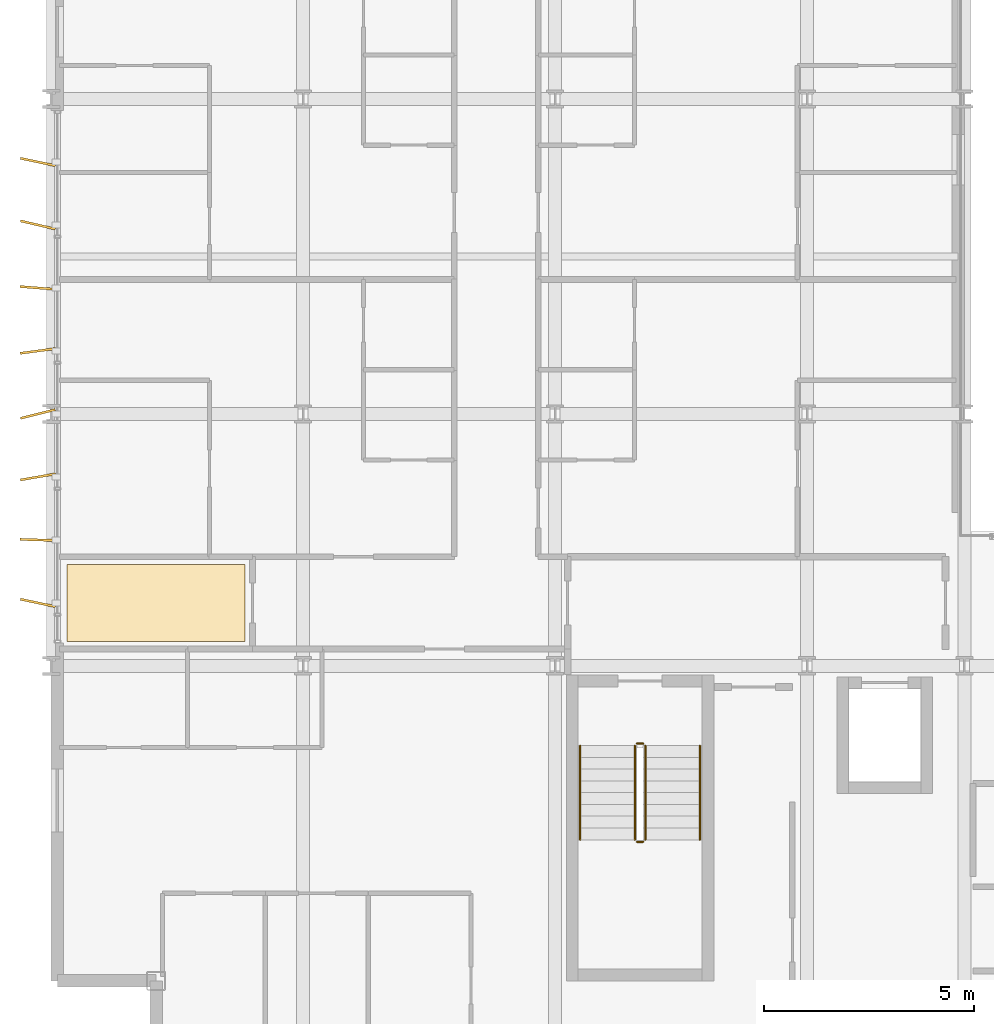
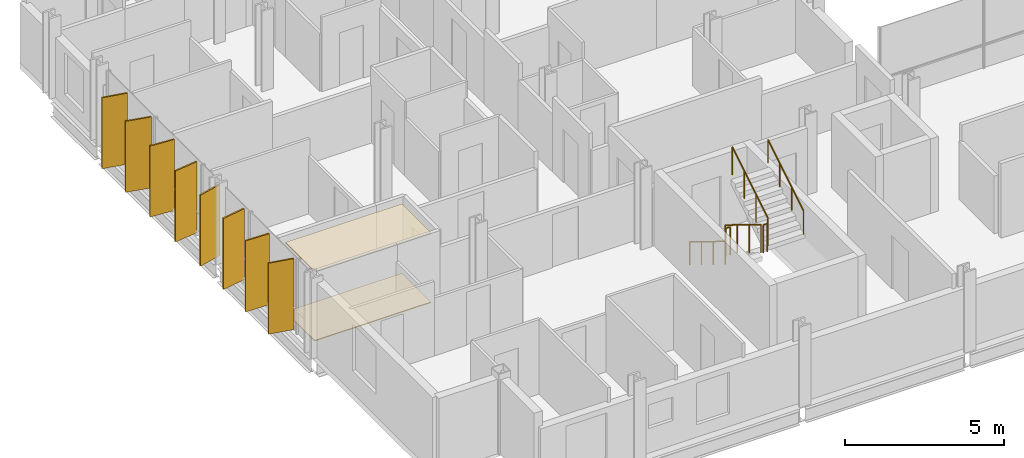
# One storey, part 36 of 39: 8 shading devices, 6 railings, 2 coverings.
"""IFC4 building model written with IfcOpenShell, lengths in metres."""

from ifc_helpers import new_model, si_unit, direction, frame, origin, origin_2d, place, context, subcontext, project, spatial, polyline, rectangle, circle, outline, extrude, material, layer, layer_set, type_object, element, save


model = new_model("IFC4")

# Units and contexts
model_context = context("Model", 3, precision=1e-05, world=origin(), true_north=direction((0.0, 1.0)))
body_context = subcontext(model_context, "Body", "Model", "MODEL_VIEW")
ifc_project = project(units=[si_unit("LENGTHUNIT", "METRE"), si_unit("AREAUNIT", "SQUARE_METRE"), si_unit("VOLUMEUNIT", "CUBIC_METRE"), si_unit("PLANEANGLEUNIT", "RADIAN"), si_unit("MASSUNIT", "GRAM", prefix="KILO")], contexts=[model_context])

# Site, building, storey
site_placement = place(None, origin())
site = spatial("IfcSite", under=ifc_project, at=site_placement, CompositionType="ELEMENT")
building_placement = place(site_placement, origin())
building = spatial("IfcBuilding", under=site, at=building_placement, Name="Brevholm Reach", CompositionType="ELEMENT")
storey_placement = place(building_placement, frame((0.0, 0.0, 83.800048828125)))
storey = spatial("IfcBuildingStorey", under=building, at=storey_placement, Name="L24", CompositionType="ELEMENT", Elevation=83.800048828125)

# Coverings
ifc_material_1 = material(Name="Moisture-Resistant Skimmed Gypsum Plasterboard Ceiling", Category="gypsum")
ifc_layer_1 = layer(ifc_material_1, 0.030029296875)
ifc_layer_set_1 = layer_set([ifc_layer_1], Name="Moisture-Resistant Skimmed Gypsum Plasterboard Ceiling")
covering_type_1 = type_object("IfcCoveringType", Name="COV-CLG-GYP", PredefinedType="CEILING", material=ifc_layer_set_1)
covering_1_placement = place(storey_placement, frame((0.0, 0.0, 2.669921875)))
element("IfcCovering", 1, at=covering_1_placement, inside=storey, type_object=covering_type_1, Name="L24 Suspended Ceiling L24-31", PredefinedType="CEILING", context=body_context, shape_type="SweptSolid", body=[
    extrude(outline(polyline([(0.3798828125, 12.419921875), (4.615966796875, 12.419921875), (4.615966796875, 10.583984375), (0.3798828125, 10.583984375), (0.3798828125, 12.419921875)])), origin(), (0.0, 0.0, 1.0), 0.030029296875),
])
ifc_material_2 = material(Name="Honed Portland-Aggregate Resin Terrazzo Flooring", Category="concrete")
ifc_layer_2 = layer(ifc_material_2, 0.031982421875)
ifc_layer_set_2 = layer_set([ifc_layer_2], Name="Honed Portland-Aggregate Resin Terrazzo Flooring")
covering_type_2 = type_object("IfcCoveringType", Name="COV-FLR-TRZ", PredefinedType="FLOORING", material=ifc_layer_set_2)
covering_2_placement = place(storey_placement, origin())
element("IfcCovering", 2, at=covering_2_placement, inside=storey, type_object=covering_type_2, Name="L24 Floor Finish L24-31", PredefinedType="FLOORING", context=body_context, shape_type="SweptSolid", body=[
    extrude(outline(polyline([(0.3798828125, 12.419921875), (4.615966796875, 12.419921875), (4.615966796875, 10.583984375), (0.3798828125, 10.583984375), (0.3798828125, 12.419921875)])), origin(), (0.0, 0.0, 1.0), 0.031982421875),
])

# Railings
ifc_material_3 = material(Name="Brushed Stainless Steel EN 1.4401 Continuous Handrail", Category="steel")
railing_type_1 = type_object("IfcRailingType", Name="RAL-HND-950", PredefinedType="HANDRAIL", material=ifc_material_3)
railing_1_placement = place(storey_placement, frame((12.60009765625, 8.10009765625, 0.172119140625)))
element("IfcRailing", 3, at=railing_1_placement, inside=storey, type_object=railing_type_1, Name="L24 ST-1 stair handrail 1", PredefinedType="HANDRAIL", context=body_context, shape_type="SweptSolid", body=[
    extrude(circle(Radius=0.02392578125, at=origin_2d()), frame((0.0, 0.0, 0.8857421875), z_axis=(0.0, -0.851747552033, 0.523952390591), x_axis=(1.0, 0.0, 0.0)), (0.0, 0.0, 1.0), 2.6298828125),
    extrude(circle(Radius=0.02099609375, at=origin_2d()), origin(), (0.0, 0.0, 1.0), 0.86181640625),
    extrude(circle(Radius=0.02099609375, at=origin_2d()), frame((0.0, -0.74658203125, 0.459228515625)), (0.0, 0.0, 1.0), 0.86181640625),
    extrude(circle(Radius=0.02099609375, at=origin_2d()), frame((0.0, -1.493408203125, 0.918701171875)), (0.0, 0.0, 1.0), 0.86181640625),
    extrude(circle(Radius=0.02099609375, at=origin_2d()), frame((0.0, -2.239990234375, 1.3779296875)), (0.0, 0.0, 1.0), 0.86181640625),
])
railing_2_placement = place(storey_placement, frame((15.449951171875, 5.860107421875, 1.72216796875)))
element("IfcRailing", 4, at=railing_2_placement, inside=storey, type_object=railing_type_1, Name="L24 ST-1 stair handrail 2", PredefinedType="HANDRAIL", context=body_context, shape_type="SweptSolid", body=[
    extrude(circle(Radius=0.02392578125, at=origin_2d()), frame((0.0, 0.0, 0.8857421875), z_axis=(0.0, 0.85178898068, 0.523885037382), x_axis=(-1.0, 0.0, 0.0)), (0.0, 0.0, 1.0), 2.629638671875),
    extrude(circle(Radius=0.02099609375, at=origin_2d()), origin(), (0.0, 0.0, 1.0), 0.86181640625),
    extrude(circle(Radius=0.02099609375, at=origin_2d()), frame((0.0, 0.74658203125, 0.459228515625)), (0.0, 0.0, 1.0), 0.86181640625),
    extrude(circle(Radius=0.02099609375, at=origin_2d()), frame((0.0, 1.493408203125, 0.91845703125)), (0.0, 0.0, 1.0), 0.86181640625),
    extrude(circle(Radius=0.02099609375, at=origin_2d()), frame((0.0, 2.239990234375, 1.377685546875)), (0.0, 0.0, 1.0), 0.86181640625),
])
ifc_material_4 = material(Name="Painted Tubular Galvanised Steel S275JR Stair Guard", Category="steel")
railing_type_2 = type_object("IfcRailingType", Name="RAL-STG-1120", PredefinedType="BALUSTRADE", material=ifc_material_4)
railing_3_placement = place(storey_placement, frame((13.89990234375, 8.10009765625, 0.172119140625)))
element("IfcRailing", 5, at=railing_3_placement, inside=storey, type_object=railing_type_2, Name="L24 ST-1 stair guard 1", PredefinedType="BALUSTRADE", context=body_context, shape_type="SweptSolid", body=[
    extrude(circle(Radius=0.02392578125, at=origin_2d()), frame((0.0, 0.0, 1.076171875), z_axis=(0.0, -0.851747552033, 0.523952390591), x_axis=(1.0, 0.0, 0.0)), (0.0, 0.0, 1.0), 2.6298828125),
    extrude(circle(Radius=0.02099609375, at=origin_2d()), origin(), (0.0, 0.0, 1.0), 1.052001953125),
    extrude(circle(Radius=0.02099609375, at=origin_2d()), frame((0.0, -0.74658203125, 0.459228515625)), (0.0, 0.0, 1.0), 1.052001953125),
    extrude(circle(Radius=0.02099609375, at=origin_2d()), frame((0.0, -1.493408203125, 0.918701171875)), (0.0, 0.0, 1.0), 1.052001953125),
    extrude(circle(Radius=0.02099609375, at=origin_2d()), frame((0.0, -2.239990234375, 1.3779296875)), (0.0, 0.0, 1.0), 1.052001953125),
])
railing_4_placement = place(storey_placement, frame((13.949951171875, 5.81005859375, 1.550048828125)))
element("IfcRailing", 6, at=railing_4_placement, inside=storey, type_object=railing_type_2, Name="L24 ST-1 stair guard 2", PredefinedType="BALUSTRADE", context=body_context, shape_type="SweptSolid", body=[
    extrude(circle(Radius=0.02392578125, at=origin_2d()), frame((0.0, 0.0, 1.076171875), z_axis=(1.0, 0.0, 0.0), x_axis=(0.0, 1.0, 0.0)), (0.0, 0.0, 1.0), 0.150146484375),
    extrude(circle(Radius=0.02099609375, at=origin_2d()), origin(), (0.0, 0.0, 1.0), 1.052001953125),
    extrude(circle(Radius=0.02099609375, at=origin_2d()), frame((0.150146484375, 0.0, 0.0)), (0.0, 0.0, 1.0), 1.052001953125),
])
railing_5_placement = place(storey_placement, frame((14.14990234375, 5.860107421875, 1.72216796875)))
element("IfcRailing", 7, at=railing_5_placement, inside=storey, type_object=railing_type_2, Name="L24 ST-1 stair guard 3", PredefinedType="BALUSTRADE", context=body_context, shape_type="SweptSolid", body=[
    extrude(circle(Radius=0.02392578125, at=origin_2d()), frame((0.0, 0.0, 1.076171875), z_axis=(0.0, 0.85178898068, 0.523885037382), x_axis=(-1.0, 0.0, 0.0)), (0.0, 0.0, 1.0), 2.629638671875),
    extrude(circle(Radius=0.02099609375, at=origin_2d()), origin(), (0.0, 0.0, 1.0), 1.052001953125),
    extrude(circle(Radius=0.02099609375, at=origin_2d()), frame((0.0, 0.74658203125, 0.459228515625)), (0.0, 0.0, 1.0), 1.052001953125),
    extrude(circle(Radius=0.02099609375, at=origin_2d()), frame((0.0, 1.493408203125, 0.91845703125)), (0.0, 0.0, 1.0), 1.052001953125),
    extrude(circle(Radius=0.02099609375, at=origin_2d()), frame((0.0, 2.239990234375, 1.377685546875)), (0.0, 0.0, 1.0), 1.052001953125),
])
railing_6_placement = place(storey_placement, frame((13.949951171875, 8.14990234375, 0.0)))
element("IfcRailing", 8, at=railing_6_placement, inside=storey, type_object=railing_type_2, Name="L24 ST-1 stair guard 4", PredefinedType="BALUSTRADE", context=body_context, shape_type="SweptSolid", body=[
    extrude(circle(Radius=0.02392578125, at=origin_2d()), frame((0.0, 0.0, 1.076171875), z_axis=(1.0, 0.0, 0.0), x_axis=(0.0, 1.0, 0.0)), (0.0, 0.0, 1.0), 0.150146484375),
    extrude(circle(Radius=0.02099609375, at=origin_2d()), origin(), (0.0, 0.0, 1.0), 1.052001953125),
    extrude(circle(Radius=0.02099609375, at=origin_2d()), frame((0.150146484375, 0.0, 0.0)), (0.0, 0.0, 1.0), 1.052001953125),
])

# Shading devices
ifc_material_5 = material(Name="Perforated Champagne-Bronze Anodised Aluminium", Category="aluminium")
ifc_layer_3 = layer(ifc_material_5, 0.054931640625)
ifc_layer_set_3 = layer_set([ifc_layer_3], Name="Perforated Champagne-Bronze Anodised Aluminium")
shading_device_type = type_object("IfcShadingDeviceType", Name="SHD-FIN-850", PredefinedType="USERDEFINED", material=ifc_layer_set_3)
for number, where, z_axis, x_axis, name in (
    (9, (-0.31494140625, 11.5, 0.070068359375), (0.0, 0.0, 1.0), (-0.978278042415, 0.207297061555, 0.0), "L24 Perforated Solar Screen Fin 1"),
    (10, (-0.31494140625, 13.0, 0.070068359375), (0.0, 0.0, 1.0), (-0.999519629987, 0.030992084006, 0.0), "L24 Perforated Solar Screen Fin 2"),
    (11, (-0.31494140625, 14.5, 0.070068359375), (0.0, 0.0, 1.0), (-0.985556059058, -0.169349503849, 0.0), "L24 Perforated Solar Screen Fin 3"),
    (12, (-0.31494140625, 16.0, 0.070068359375), (0.0, 0.0, 1.0), (-0.970573756484, -0.240804034903, 0.0), "L24 Perforated Solar Screen Fin 4"),
    (13, (-0.31494140625, 17.5, 0.070068359375), (0.0, 0.0, 1.0), (-0.99115773816, -0.132688877023, 0.0), "L24 Perforated Solar Screen Fin 5"),
    (14, (-0.31494140625, 19.0, 0.070068359375), (0.0, 0.0, 1.0), (-0.997019182325, 0.077154067143, 0.0), "L24 Perforated Solar Screen Fin 6"),
    (15, (-0.31494140625, 20.5, 0.070068359375), (0.0, 0.0, 1.0), (-0.973801624391, 0.227399200379, 0.0), "L24 Perforated Solar Screen Fin 7"),
    (16, (-0.31494140625, 22.0, 0.070068359375), (0.0, 0.0, 1.0), (-0.978278042415, 0.207297061555, 0.0), "L24 Perforated Solar Screen Fin 8"),
):
    element("IfcShadingDevice", number, at=place(storey_placement, frame(where, z_axis=z_axis, x_axis=x_axis)), inside=storey, type_object=shading_device_type, Name=name, ObjectType="SCREEN", PredefinedType="USERDEFINED", context=body_context, shape_type="SweptSolid", body=[
        extrude(rectangle(XDim=0.85009765625, YDim=0.054931640625, at=origin_2d()), origin(), (0.0, 0.0, 1.0), 2.72998046875),
    ])

save(model, "model.ifc")
